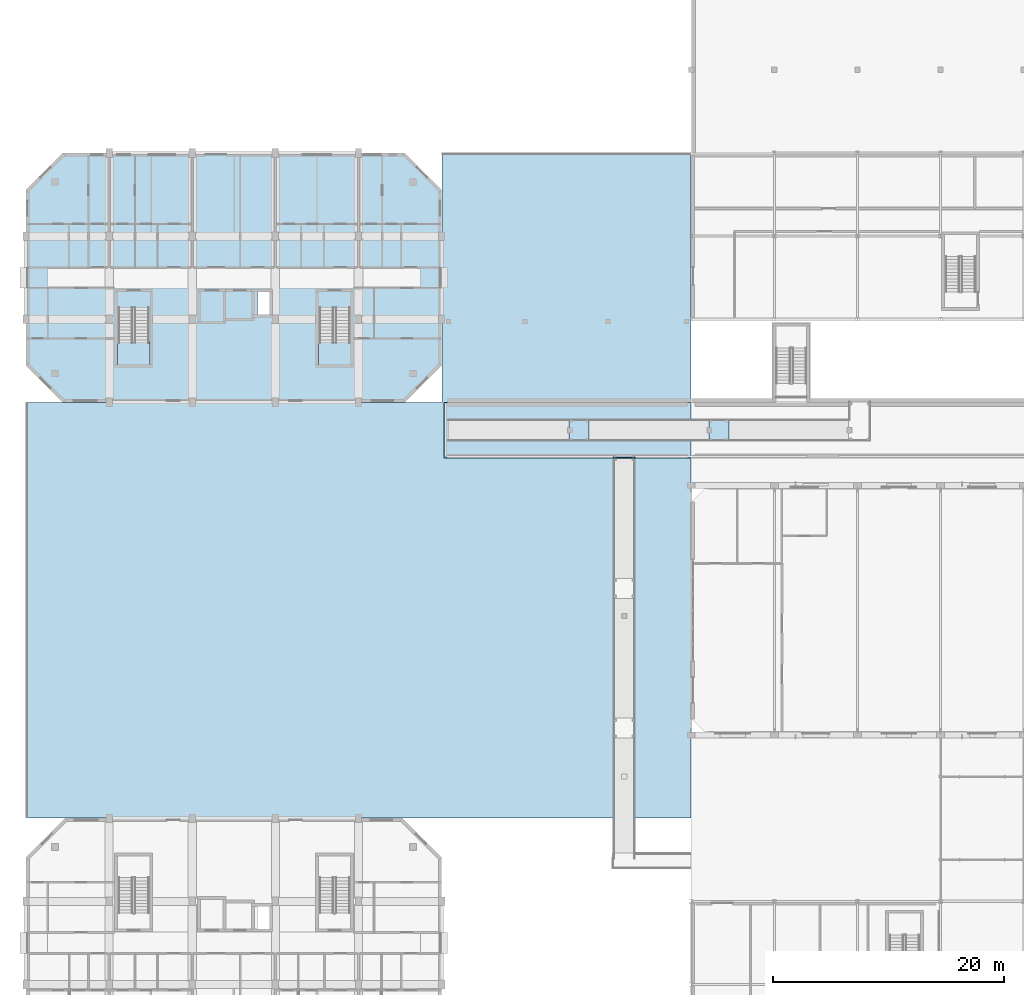
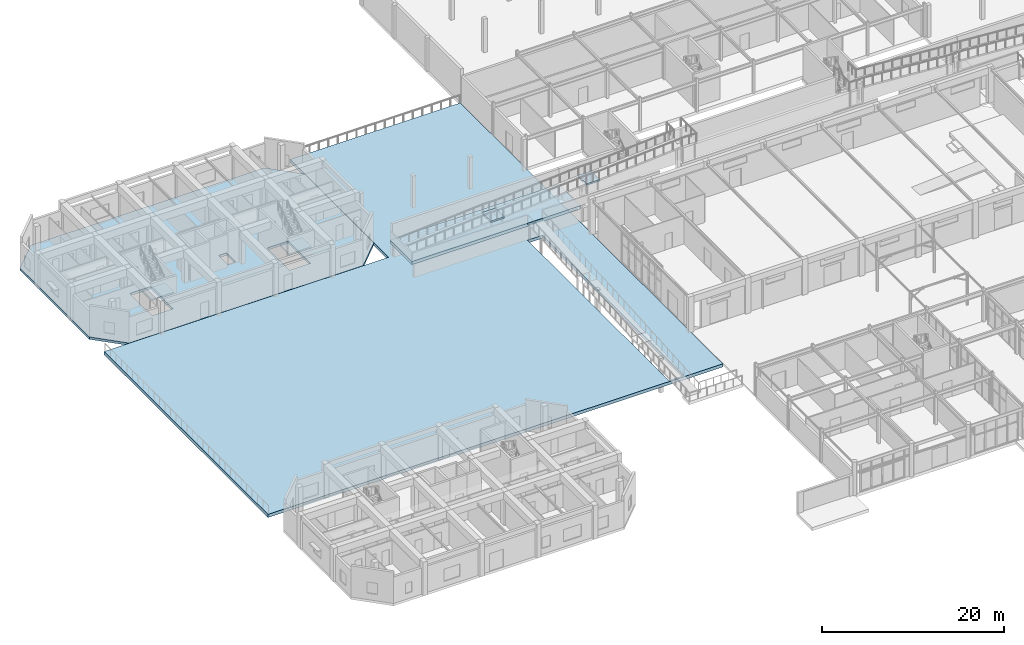
# One storey, part 40 of 85: 8 slabs, 4 elements without a shape of their own.
"""IFC4 building model written with IfcOpenShell, lengths in metres."""

from ifc_helpers import new_model, si_unit, direction, frame, origin, place, context, subcontext, project, spatial, polyline, outline, extrude, material, layer, layer_set, type_object, element, aggregate, save


model = new_model("IFC4")

# Units and contexts
model_context = context("Model", 3, precision=1e-05, world=origin(), true_north=direction((0.0, 1.0)))
body_context = subcontext(model_context, "Body", "Model", "MODEL_VIEW")
ifc_project = project(units=[si_unit("LENGTHUNIT", "METRE"), si_unit("AREAUNIT", "SQUARE_METRE"), si_unit("VOLUMEUNIT", "CUBIC_METRE"), si_unit("PLANEANGLEUNIT", "RADIAN"), si_unit("MASSUNIT", "GRAM", prefix="KILO")], contexts=[model_context])

# Site, building, storey
site_placement = place(None, origin())
site = spatial("IfcSite", under=ifc_project, at=site_placement, CompositionType="ELEMENT")
building_placement = place(site_placement, origin())
building = spatial("IfcBuilding", under=site, at=building_placement, Name="Ochrevale Crest", CompositionType="ELEMENT")
storey_placement = place(building_placement, origin())
storey = spatial("IfcBuildingStorey", under=building, at=storey_placement, Name="L00", CompositionType="ELEMENT", Elevation=0.0)

# Ramp, slab
ifc_material_1 = material(Name="Concrete C40/50", Category="concrete")
ramp_type = type_object("IfcRampType", Name="RMP-ACC", PredefinedType="USERDEFINED", material=ifc_material_1)
ramp_1_placement = place(storey_placement, origin())
ramp_1 = element("IfcRamp", 1, at=ramp_1_placement, inside=storey, type_object=ramp_type, Name="West hillside Step 1 to Step 2 accessible ramp", ObjectType="ACCESSIBLE RAMP", PredefinedType="USERDEFINED")
ifc_layer_1 = layer(ifc_material_1, 0.2099609375)
ifc_layer_set_1 = layer_set([ifc_layer_1], Name="Concrete C40/50")
slab_type_1 = type_object("IfcSlabType", Name="SLB-EXT-LAND-210", PredefinedType="LANDING", material=ifc_layer_set_1)
slab_1_placement = place(storey_placement, frame((0.0, 0.0, 2.0400390625)))
slab_1 = element("IfcSlab", 2, at=slab_1_placement, type_object=slab_type_1, Name="West hillside Step 1 to Step 2 accessible ramp upper arrival landing", PredefinedType="LANDING", context=body_context, shape_type="SweptSolid", body=[
    extrude(outline(polyline([(50.85009765625, 67.14990234375), (52.75, 67.14990234375), (52.75, 67.25), (50.85009765625, 67.25), (50.85009765625, 67.14990234375)])), origin(), (0.0, 0.0, 1.0), 0.2099609375),
])
aggregate(ramp_1, [slab_1])

# Ramp, slabs
ramp_2_placement = place(storey_placement, origin())
ramp_2 = element("IfcRamp", 3, at=ramp_2_placement, inside=storey, type_object=ramp_type, Name="West hillside Step 2 to Step 3 accessible ramp", ObjectType="ACCESSIBLE RAMP", PredefinedType="USERDEFINED")
slab_2_placement = place(storey_placement, frame((0.0, 0.0, 2.7900390625)))
slab_2 = element("IfcSlab", 4, at=slab_2_placement, type_object=slab_type_1, Name="West hillside Step 2 to Step 3 accessible ramp intermediate landing 1", PredefinedType="LANDING", context=body_context, shape_type="SweptSolid", body=[
    extrude(outline(polyline([(47.0400390625, 68.64990234375), (48.760009765625, 68.64990234375), (48.760009765625, 70.550048828125), (47.0400390625, 70.550048828125), (47.0400390625, 68.64990234375)])), origin(), (0.0, 0.0, 1.0), 0.2099609375),
])
slab_3_placement = place(storey_placement, frame((0.0, 0.0, 3.5400390625)))
slab_3 = element("IfcSlab", 5, at=slab_3_placement, type_object=slab_type_1, Name="West hillside Step 2 to Step 3 accessible ramp intermediate landing 2", PredefinedType="LANDING", context=body_context, shape_type="SweptSolid", body=[
    extrude(outline(polyline([(59.139892578125, 68.64990234375), (60.860107421875, 68.64990234375), (60.860107421875, 70.550048828125), (59.139892578125, 70.550048828125), (59.139892578125, 68.64990234375)])), origin(), (0.0, 0.0, 1.0), 0.2099609375),
])
aggregate(ramp_2, [slab_2, slab_3])

# Slabs
ifc_layer_2 = layer(ifc_material_1, 0.419921875)
ifc_layer_set_2 = layer_set([ifc_layer_2], Name="Concrete C40/50")
slab_type_2 = type_object("IfcSlabType", Name="SLB-PLAZA-340", PredefinedType="FLOOR", material=ifc_layer_set_2)
slab_4_placement = place(storey_placement, frame((0.0, 0.0, -0.419921875)))
element("IfcSlab", 6, at=slab_4_placement, inside=storey, type_object=slab_type_2, Name="West podium courtyard plaza deck over B1", PredefinedType="FLOOR", context=body_context, shape_type="SweptSolid", body=[
    extrude(outline(polyline([(0.0, 36.02001953125), (57.574951171875, 36.02001953125), (57.574951171875, 93.60009765625), (36.02001953125, 93.60009765625), (36.02001953125, 71.97998046875), (0.0, 71.97998046875), (0.0, 36.02001953125)]), holes=[polyline([(50.85009765625, 36.219970703125), (52.75, 36.219970703125), (52.75, 67.199951171875), (50.85009765625, 67.199951171875), (50.85009765625, 36.219970703125)])]), origin(), (0.0, 0.0, 1.0), 0.419921875),
])
slab_5_placement = place(storey_placement, frame((0.0, 0.0, 1.830078125)))
element("IfcSlab", 7, at=slab_5_placement, inside=storey, type_object=slab_type_2, Name="Central amphitheatre garden bench Step 2 W", PredefinedType="FLOOR", context=body_context, shape_type="SweptSolid", body=[
    extrude(outline(polyline([(36.199951171875, 67.199951171875), (57.574951171875, 67.199951171875), (57.574951171875, 72.0), (36.199951171875, 72.0), (36.199951171875, 67.199951171875)])), origin(), (0.0, 0.0, 1.0), 0.419921875),
])
ifc_material_2 = material(Name="Precast concrete C40/50", Category="concrete")
ifc_layer_3 = layer(ifc_material_2, 0.324951171875)
ifc_layer_set_3 = layer_set([ifc_layer_3], Name="Precast concrete C40/50")
slab_type_3 = type_object("IfcSlabType", Name="SLB-POD-325", PredefinedType="FLOOR", material=ifc_layer_set_3)
slab_6_placement = place(storey_placement, frame((0.0, 0.0, -0.324951171875)))
element("IfcSlab", 8, at=slab_6_placement, inside=storey, type_object=slab_type_3, Name="Block B L00 composite hollowcore floor slab", PredefinedType="FLOOR", context=body_context, shape_type="SweptSolid", body=[
    extrude(outline(polyline([(3.199951171875, 72.0), (32.800048828125, 72.0), (36.0, 75.199951171875), (36.0, 90.39990234375), (32.800048828125, 93.60009765625), (3.199951171875, 93.60009765625), (0.0, 90.39990234375), (0.0, 75.199951171875), (3.199951171875, 72.0)]), holes=[polyline([(8.0, 80.175048828125), (8.0, 75.27490234375), (10.64990234375, 75.27490234375), (10.64990234375, 80.175048828125), (8.0, 80.175048828125)]), polyline([(25.39990234375, 80.175048828125), (25.39990234375, 75.27490234375), (28.050048828125, 75.27490234375), (28.050048828125, 80.175048828125), (25.39990234375, 80.175048828125)]), polyline([(20.070068359375, 79.6201171875), (21.080078125, 79.6201171875), (21.080078125, 81.580078125), (20.070068359375, 81.580078125), (20.070068359375, 79.6201171875)])]), origin(), (0.0, 0.0, 1.0), 0.324951171875),
])

# Stair, slab
stair_type = type_object("IfcStairType", Name="ST-CORE-DOG", PredefinedType="HALF_TURN_STAIR", material=ifc_material_2)
stair_1_placement = place(storey_placement, origin())
stair_1 = element("IfcStair", 9, at=stair_1_placement, inside=storey, type_object=stair_type, Name="L00 Block B Fire Stair 1", PredefinedType="HALF_TURN_STAIR")
ifc_layer_4 = layer(ifc_material_2, 0.199951171875)
ifc_layer_set_4 = layer_set([ifc_layer_4], Name="Precast concrete C40/50")
slab_type_4 = type_object("IfcSlabType", Name="SLB-ST-LAND", PredefinedType="LANDING", material=ifc_layer_set_4)
slab_7_placement = place(storey_placement, frame((0.0, 0.0, 2.050048828125)))
slab_7 = element("IfcSlab", 10, at=slab_7_placement, type_object=slab_type_4, Name="ST-B1 landing 1", PredefinedType="LANDING", context=body_context, shape_type="SweptSolid", body=[
    extrude(outline(polyline([(7.919921875, 77.22509765625), (7.919921875, 75.195068359375), (10.72998046875, 75.195068359375), (10.72998046875, 77.22509765625), (7.919921875, 77.22509765625)])), origin(), (0.0, 0.0, 1.0), 0.199951171875),
])
aggregate(stair_1, [slab_7])

stair_2_placement = place(storey_placement, origin())
stair_2 = element("IfcStair", 11, at=stair_2_placement, inside=storey, type_object=stair_type, Name="L00 Block B Fire Stair 2", PredefinedType="HALF_TURN_STAIR")
slab_8_placement = place(storey_placement, frame((0.0, 0.0, 2.050048828125)))
slab_8 = element("IfcSlab", 12, at=slab_8_placement, type_object=slab_type_4, Name="ST-B2 landing 1", PredefinedType="LANDING", context=body_context, shape_type="SweptSolid", body=[
    extrude(outline(polyline([(25.320068359375, 77.22509765625), (25.320068359375, 75.195068359375), (28.1298828125, 75.195068359375), (28.1298828125, 77.22509765625), (25.320068359375, 77.22509765625)])), origin(), (0.0, 0.0, 1.0), 0.199951171875),
])
aggregate(stair_2, [slab_8])

save(model, "model.ifc")
